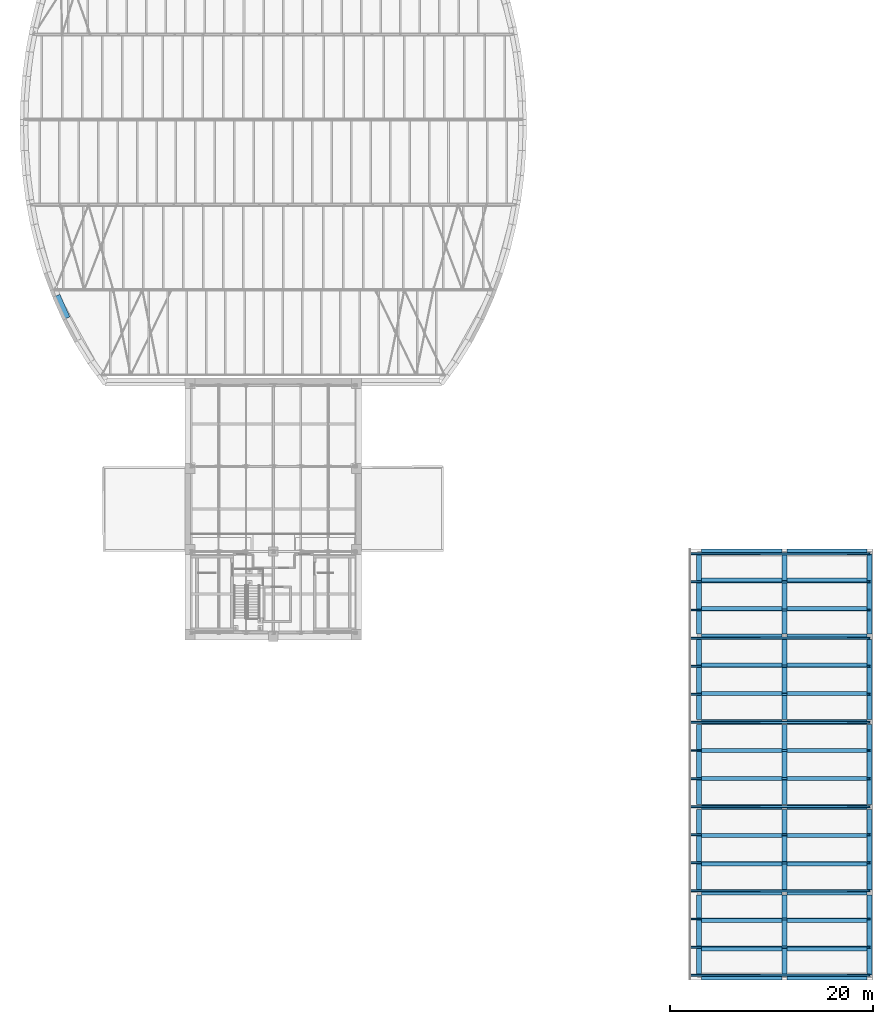
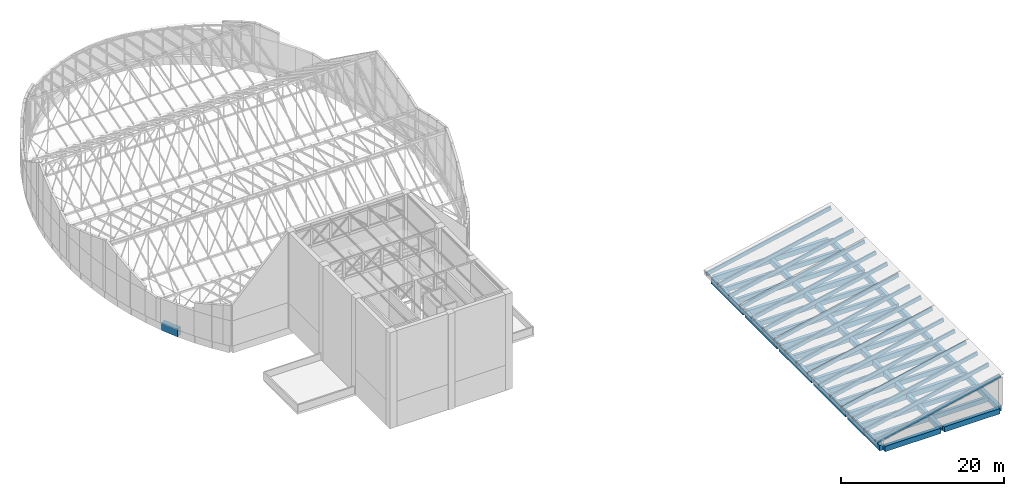
# One storey, part 15 of 68: 48 beams, 16 members.
"""IFC4 building model written with IfcOpenShell, lengths in metres."""

from ifc_helpers import new_model, si_unit, direction, frame, origin, origin_2d, place, context, subcontext, project, spatial, rectangle, extrude, material, material_profile, profile_set, type_object, element, save


model = new_model("IFC4")

# Units and contexts
model_context = context("Model", 3, precision=1e-05, world=origin(), true_north=direction((0.0, 1.0)))
body_context = subcontext(model_context, "Body", "Model", "MODEL_VIEW")
ifc_project = project(units=[si_unit("LENGTHUNIT", "METRE"), si_unit("AREAUNIT", "SQUARE_METRE"), si_unit("VOLUMEUNIT", "CUBIC_METRE"), si_unit("PLANEANGLEUNIT", "RADIAN"), si_unit("MASSUNIT", "GRAM", prefix="KILO")], contexts=[model_context])

# Site, building, storey
site_placement = place(None, origin())
site = spatial("IfcSite", under=ifc_project, at=site_placement, CompositionType="ELEMENT")
building_placement = place(site_placement, origin())
building = spatial("IfcBuilding", under=site, at=building_placement, Name="Larchfold Concert Hall", CompositionType="ELEMENT")
storey_placement = place(building_placement, frame((0.0, 0.0, 28.800048828125)))
storey = spatial("IfcBuildingStorey", under=building, at=storey_placement, Name="L06", CompositionType="ELEMENT", Elevation=28.800048828125)

# Beams
ifc_material_1 = material(Name="Concrete C35/45", Category="concrete")
ifc_material_profile_1 = material_profile(ifc_material_1, rectangle(XDim=0.39990234375, YDim=0.699951171875, at=origin_2d()))
ifc_profile_set_1 = profile_set([ifc_material_profile_1], Name="Concrete C35/45")
beam_type_1 = type_object("IfcBeamType", Name="Beam RC 400x700", PredefinedType="BEAM", material=ifc_profile_set_1)
for number, where, z_axis, x_axis, name in (
    (1, (84.85009765625, 3.39990234375, -0.489990234375), (1.0, 0.0, 0.0), (0.0, 1.0, 0.0), "Beam B0883"),
    (2, (93.25, 3.39990234375, -0.489990234375), (1.0, 0.0, 0.0), (0.0, 1.0, 0.0), "Beam B0884"),
    (3, (84.85009765625, 6.199951171875, -0.489990234375), (1.0, 0.0, 0.0), (0.0, 1.0, 0.0), "Beam B0885"),
    (4, (93.25, 6.199951171875, -0.489990234375), (1.0, 0.0, 0.0), (0.0, 1.0, 0.0), "Beam B0886"),
    (5, (84.85009765625, 11.800048828125, -0.489990234375), (1.0, 0.0, 0.0), (0.0, 1.0, 0.0), "Beam B0887"),
    (6, (93.25, 11.800048828125, -0.489990234375), (1.0, 0.0, 0.0), (0.0, 1.0, 0.0), "Beam B0888"),
    (7, (84.85009765625, 14.60009765625, -0.489990234375), (1.0, 0.0, 0.0), (0.0, 1.0, 0.0), "Beam B0889"),
    (8, (93.25, 14.60009765625, -0.489990234375), (1.0, 0.0, 0.0), (0.0, 1.0, 0.0), "Beam B0890"),
    (9, (84.85009765625, 20.199951171875, -0.489990234375), (1.0, 0.0, 0.0), (0.0, 1.0, 0.0), "Beam B0891"),
    (10, (93.25, 20.199951171875, -0.489990234375), (1.0, 0.0, 0.0), (0.0, 1.0, 0.0), "Beam B0892"),
    (11, (84.85009765625, 23.0, -0.489990234375), (1.0, 0.0, 0.0), (0.0, 1.0, 0.0), "Beam B0893"),
    (12, (93.25, 23.0, -0.489990234375), (1.0, 0.0, 0.0), (0.0, 1.0, 0.0), "Beam B0894"),
    (13, (84.85009765625, 28.60009765625, -0.489990234375), (1.0, 0.0, 0.0), (0.0, 1.0, 0.0), "Beam B0895"),
    (14, (93.25, 28.60009765625, -0.489990234375), (1.0, 0.0, 0.0), (0.0, 1.0, 0.0), "Beam B0896"),
    (15, (84.85009765625, 31.39990234375, -0.489990234375), (1.0, 0.0, 0.0), (0.0, 1.0, 0.0), "Beam B0897"),
    (16, (93.25, 31.39990234375, -0.489990234375), (1.0, 0.0, 0.0), (0.0, 1.0, 0.0), "Beam B0898"),
    (17, (84.85009765625, 37.0, -0.489990234375), (1.0, 0.0, 0.0), (0.0, 1.0, 0.0), "Beam B0899"),
    (18, (93.25, 37.0, -0.489990234375), (1.0, 0.0, 0.0), (0.0, 1.0, 0.0), "Beam B0900"),
    (19, (84.85009765625, 39.800048828125, -0.489990234375), (1.0, 0.0, 0.0), (0.0, 1.0, 0.0), "Beam B0901"),
    (20, (93.25, 39.800048828125, -0.489990234375), (1.0, 0.0, 0.0), (0.0, 1.0, 0.0), "Beam B0902"),
):
    element("IfcBeam", number, at=place(storey_placement, frame(where, z_axis=z_axis, x_axis=x_axis)), inside=storey, type_object=beam_type_1, Name=name, PredefinedType="BEAM", context=body_context, shape_type="SweptSolid", body=[
        extrude(rectangle(XDim=0.39990234375, YDim=0.699951171875, at=origin_2d()), origin(), (0.0, 0.0, 1.0), 7.89990234375),
    ])
ifc_material_2 = material(Name="Concrete C35/45", Category="concrete")
ifc_material_profile_2 = material_profile(ifc_material_2, rectangle(XDim=0.5, YDim=0.800048828125, at=origin_2d()))
ifc_profile_set_2 = profile_set([ifc_material_profile_2], Name="Concrete C35/45")
beam_type_2 = type_object("IfcBeamType", Name="Beam RC 500x800", PredefinedType="BEAM", material=ifc_profile_set_2)
for number, where, z_axis, x_axis, name in (
    (21, (84.60009765625, 0.85009765625, -0.5400390625), (0.0, 1.0, 0.0), (-1.0, 0.0, 0.0), "Beam B0856"),
    (22, (84.60009765625, 9.25, -0.5400390625), (0.0, 1.0, 0.0), (-1.0, 0.0, 0.0), "Beam B0857"),
):
    element("IfcBeam", number, at=place(storey_placement, frame(where, z_axis=z_axis, x_axis=x_axis)), inside=storey, type_object=beam_type_2, Name=name, PredefinedType="BEAM", context=body_context, shape_type="SweptSolid", body=[
        extrude(rectangle(XDim=0.5, YDim=0.800048828125, at=origin_2d()), origin(), (0.0, 0.0, 1.0), 7.89990234375),
    ])
beam_1_placement = place(storey_placement, frame((84.60009765625, 17.64990234375, -0.5400390625), z_axis=(0.0, 1.0, 0.0), x_axis=(-1.0, 0.0, 0.0)))
element("IfcBeam", 23, at=beam_1_placement, inside=storey, type_object=beam_type_2, Name="Beam B0858", PredefinedType="BEAM", context=body_context, shape_type="SweptSolid", body=[
    extrude(rectangle(XDim=0.5, YDim=0.800048828125, at=origin_2d()), origin(), (0.0, 0.0, 1.0), 7.900146484375),
])
beam_2_placement = place(storey_placement, frame((84.60009765625, 26.050048828125, -0.5400390625), z_axis=(0.0, 1.0, 0.0), x_axis=(-1.0, 0.0, 0.0)))
element("IfcBeam", 24, at=beam_2_placement, inside=storey, type_object=beam_type_2, Name="Beam B0859", PredefinedType="BEAM", context=body_context, shape_type="SweptSolid", body=[
    extrude(rectangle(XDim=0.5, YDim=0.800048828125, at=origin_2d()), origin(), (0.0, 0.0, 1.0), 7.89990234375),
])
beam_3_placement = place(storey_placement, frame((84.60009765625, 34.449951171875, -0.5400390625), z_axis=(0.0, 1.0, 0.0), x_axis=(-1.0, 0.0, 0.0)))
element("IfcBeam", 25, at=beam_3_placement, inside=storey, type_object=beam_type_2, Name="Beam B0860", PredefinedType="BEAM", context=body_context, shape_type="SweptSolid", body=[
    extrude(rectangle(XDim=0.5, YDim=0.800048828125, at=origin_2d()), origin(), (0.0, 0.0, 1.0), 7.900146484375),
])
for number, where, z_axis, x_axis, name in (
    (26, (93.0, 0.85009765625, -0.5400390625), (0.0, 1.0, 0.0), (-1.0, 0.0, 0.0), "Beam B0861"),
    (27, (93.0, 9.25, -0.5400390625), (0.0, 1.0, 0.0), (-1.0, 0.0, 0.0), "Beam B0862"),
):
    element("IfcBeam", number, at=place(storey_placement, frame(where, z_axis=z_axis, x_axis=x_axis)), inside=storey, type_object=beam_type_2, Name=name, PredefinedType="BEAM", context=body_context, shape_type="SweptSolid", body=[
        extrude(rectangle(XDim=0.5, YDim=0.800048828125, at=origin_2d()), origin(), (0.0, 0.0, 1.0), 7.89990234375),
    ])
beam_4_placement = place(storey_placement, frame((93.0, 17.64990234375, -0.5400390625), z_axis=(0.0, 1.0, 0.0), x_axis=(-1.0, 0.0, 0.0)))
element("IfcBeam", 28, at=beam_4_placement, inside=storey, type_object=beam_type_2, Name="Beam B0863", PredefinedType="BEAM", context=body_context, shape_type="SweptSolid", body=[
    extrude(rectangle(XDim=0.5, YDim=0.800048828125, at=origin_2d()), origin(), (0.0, 0.0, 1.0), 7.900146484375),
])
beam_5_placement = place(storey_placement, frame((93.0, 26.050048828125, -0.5400390625), z_axis=(0.0, 1.0, 0.0), x_axis=(-1.0, 0.0, 0.0)))
element("IfcBeam", 29, at=beam_5_placement, inside=storey, type_object=beam_type_2, Name="Beam B0864", PredefinedType="BEAM", context=body_context, shape_type="SweptSolid", body=[
    extrude(rectangle(XDim=0.5, YDim=0.800048828125, at=origin_2d()), origin(), (0.0, 0.0, 1.0), 7.89990234375),
])
beam_6_placement = place(storey_placement, frame((93.0, 34.449951171875, -0.5400390625), z_axis=(0.0, 1.0, 0.0), x_axis=(-1.0, 0.0, 0.0)))
element("IfcBeam", 30, at=beam_6_placement, inside=storey, type_object=beam_type_2, Name="Beam B0865", PredefinedType="BEAM", context=body_context, shape_type="SweptSolid", body=[
    extrude(rectangle(XDim=0.5, YDim=0.800048828125, at=origin_2d()), origin(), (0.0, 0.0, 1.0), 7.900146484375),
])
for number, where, z_axis, x_axis, name in (
    (31, (101.39990234375, 0.85009765625, -0.5400390625), (0.0, 1.0, 0.0), (-1.0, 0.0, 0.0), "Beam B0866"),
    (32, (101.39990234375, 9.25, -0.5400390625), (0.0, 1.0, 0.0), (-1.0, 0.0, 0.0), "Beam B0867"),
):
    element("IfcBeam", number, at=place(storey_placement, frame(where, z_axis=z_axis, x_axis=x_axis)), inside=storey, type_object=beam_type_2, Name=name, PredefinedType="BEAM", context=body_context, shape_type="SweptSolid", body=[
        extrude(rectangle(XDim=0.5, YDim=0.800048828125, at=origin_2d()), origin(), (0.0, 0.0, 1.0), 7.89990234375),
    ])
beam_7_placement = place(storey_placement, frame((101.39990234375, 17.64990234375, -0.5400390625), z_axis=(0.0, 1.0, 0.0), x_axis=(-1.0, 0.0, 0.0)))
element("IfcBeam", 33, at=beam_7_placement, inside=storey, type_object=beam_type_2, Name="Beam B0868", PredefinedType="BEAM", context=body_context, shape_type="SweptSolid", body=[
    extrude(rectangle(XDim=0.5, YDim=0.800048828125, at=origin_2d()), origin(), (0.0, 0.0, 1.0), 7.900146484375),
])
beam_8_placement = place(storey_placement, frame((101.39990234375, 26.050048828125, -0.5400390625), z_axis=(0.0, 1.0, 0.0), x_axis=(-1.0, 0.0, 0.0)))
element("IfcBeam", 34, at=beam_8_placement, inside=storey, type_object=beam_type_2, Name="Beam B0869", PredefinedType="BEAM", context=body_context, shape_type="SweptSolid", body=[
    extrude(rectangle(XDim=0.5, YDim=0.800048828125, at=origin_2d()), origin(), (0.0, 0.0, 1.0), 7.89990234375),
])
beam_9_placement = place(storey_placement, frame((101.39990234375, 34.449951171875, -0.5400390625), z_axis=(0.0, 1.0, 0.0), x_axis=(-1.0, 0.0, 0.0)))
element("IfcBeam", 35, at=beam_9_placement, inside=storey, type_object=beam_type_2, Name="Beam B0870", PredefinedType="BEAM", context=body_context, shape_type="SweptSolid", body=[
    extrude(rectangle(XDim=0.5, YDim=0.800048828125, at=origin_2d()), origin(), (0.0, 0.0, 1.0), 7.900146484375),
])
for number, where, z_axis, x_axis, name in (
    (36, (84.85009765625, 0.60009765625, -0.5400390625), (1.0, 0.0, 0.0), (0.0, 1.0, 0.0), "Beam B0871"),
    (37, (93.25, 0.60009765625, -0.5400390625), (1.0, 0.0, 0.0), (0.0, 1.0, 0.0), "Beam B0872"),
    (38, (84.85009765625, 9.0, -0.5400390625), (1.0, 0.0, 0.0), (0.0, 1.0, 0.0), "Beam B0873"),
    (39, (93.25, 9.0, -0.5400390625), (1.0, 0.0, 0.0), (0.0, 1.0, 0.0), "Beam B0874"),
    (40, (84.85009765625, 17.39990234375, -0.5400390625), (1.0, 0.0, 0.0), (0.0, 1.0, 0.0), "Beam B0875"),
    (41, (93.25, 17.39990234375, -0.5400390625), (1.0, 0.0, 0.0), (0.0, 1.0, 0.0), "Beam B0876"),
    (42, (84.85009765625, 25.800048828125, -0.5400390625), (1.0, 0.0, 0.0), (0.0, 1.0, 0.0), "Beam B0877"),
    (43, (93.25, 25.800048828125, -0.5400390625), (1.0, 0.0, 0.0), (0.0, 1.0, 0.0), "Beam B0878"),
    (44, (84.85009765625, 34.199951171875, -0.5400390625), (1.0, 0.0, 0.0), (0.0, 1.0, 0.0), "Beam B0879"),
    (45, (93.25, 34.199951171875, -0.5400390625), (1.0, 0.0, 0.0), (0.0, 1.0, 0.0), "Beam B0880"),
    (46, (84.85009765625, 42.60009765625, -0.5400390625), (1.0, 0.0, 0.0), (0.0, 1.0, 0.0), "Beam B0881"),
    (47, (93.25, 42.60009765625, -0.5400390625), (1.0, 0.0, 0.0), (0.0, 1.0, 0.0), "Beam B0882"),
):
    element("IfcBeam", number, at=place(storey_placement, frame(where, z_axis=z_axis, x_axis=x_axis)), inside=storey, type_object=beam_type_2, Name=name, PredefinedType="BEAM", context=body_context, shape_type="SweptSolid", body=[
        extrude(rectangle(XDim=0.5, YDim=0.800048828125, at=origin_2d()), origin(), (0.0, 0.0, 1.0), 7.89990234375),
    ])
ifc_material_3 = material(Name="Concrete C40/50", Category="concrete")
ifc_material_profile_3 = material_profile(ifc_material_3, rectangle(XDim=0.60009765625, YDim=1.199951171875, at=origin_2d()))
ifc_profile_set_3 = profile_set([ifc_material_profile_3], Name="Concrete C40/50")
beam_type_3 = type_object("IfcBeamType", Name="Beam RC 600x1200", PredefinedType="BEAM", material=ifc_profile_set_3)
beam_10_placement = place(storey_placement, frame((21.27978515625, 67.850341796875, -0.60009765625), z_axis=(0.406688504918, -0.913566888612, 0.0), x_axis=(0.913566888612, 0.406688504918, 0.0)))
element("IfcBeam", 48, at=beam_10_placement, inside=storey, type_object=beam_type_3, Name="Beam RB46", PredefinedType="BEAM", context=body_context, shape_type="SweptSolid", body=[
    extrude(rectangle(XDim=0.60009765625, YDim=1.199951171875, at=origin_2d()), origin(), (0.0, 0.0, 1.0), 2.429443359375),
])

# Members
ifc_material_4 = material(Name="Glulam GL30c", Category="wood")
ifc_material_profile_4 = material_profile(ifc_material_4, rectangle(XDim=0.18994140625, YDim=0.5849609375, at=origin_2d()))
ifc_profile_set_4 = profile_set([ifc_material_profile_4], Name="Glulam GL30c")
member_type = type_object("IfcMemberType", Name="Glulam rafter GL30c 190x585", PredefinedType="RAFTER", material=ifc_profile_set_4)
for number, where, z_axis, x_axis, name in (
    (49, (83.699951171875, 0.824951171875, 0.655029296875), (0.977801032451, 0.0, 0.209535536217), (0.0, 1.0, 0.0), "Member RA01"),
    (50, (83.699951171875, 3.594970703125, 0.655029296875), (0.977801032451, 0.0, 0.209535536217), (0.0, 1.0, 0.0), "Member RA02"),
    (51, (83.699951171875, 6.364990234375, 0.655029296875), (0.977801032451, 0.0, 0.209535536217), (0.0, 1.0, 0.0), "Member RA03"),
    (52, (83.699951171875, 9.135009765625, 0.655029296875), (0.977801032451, 0.0, 0.209535536217), (0.0, 1.0, 0.0), "Member RA04"),
    (53, (83.699951171875, 11.905029296875, 0.655029296875), (0.977801032451, 0.0, 0.209535536217), (0.0, 1.0, 0.0), "Member RA05"),
    (54, (83.699951171875, 14.675048828125, 0.655029296875), (0.977801032451, 0.0, 0.209535536217), (0.0, 1.0, 0.0), "Member RA06"),
    (55, (83.699951171875, 17.445068359375, 0.655029296875), (0.977801032451, 0.0, 0.209535536217), (0.0, 1.0, 0.0), "Member RA07"),
    (56, (83.699951171875, 20.215087890625, 0.655029296875), (0.977801032451, 0.0, 0.209535536217), (0.0, 1.0, 0.0), "Member RA08"),
    (57, (83.699951171875, 22.985107421875, 0.655029296875), (0.977801032451, 0.0, 0.209535536217), (0.0, 1.0, 0.0), "Member RA09"),
    (58, (83.699951171875, 25.7548828125, 0.655029296875), (0.977801032451, 0.0, 0.209535536217), (0.0, 1.0, 0.0), "Member RA10"),
    (59, (83.699951171875, 28.52490234375, 0.655029296875), (0.977801032451, 0.0, 0.209535536217), (0.0, 1.0, 0.0), "Member RA11"),
    (60, (83.699951171875, 31.294921875, 0.655029296875), (0.977801032451, 0.0, 0.209535536217), (0.0, 1.0, 0.0), "Member RA12"),
    (61, (83.699951171875, 34.06494140625, 0.655029296875), (0.977801032451, 0.0, 0.209535536217), (0.0, 1.0, 0.0), "Member RA13"),
    (62, (83.699951171875, 36.8349609375, 0.655029296875), (0.977801032451, 0.0, 0.209535536217), (0.0, 1.0, 0.0), "Member RA14"),
    (63, (83.699951171875, 39.60498046875, 0.655029296875), (0.977801032451, 0.0, 0.209535536217), (0.0, 1.0, 0.0), "Member RA15"),
    (64, (83.699951171875, 42.375, 0.655029296875), (0.977801032451, 0.0, 0.209535536217), (0.0, 1.0, 0.0), "Member RA16"),
):
    element("IfcMember", number, at=place(storey_placement, frame(where, z_axis=z_axis, x_axis=x_axis)), inside=storey, type_object=member_type, Name=name, PredefinedType="RAFTER", context=body_context, shape_type="SweptSolid", body=[
        extrude(rectangle(XDim=0.18994140625, YDim=0.5849609375, at=origin_2d()), origin(), (0.0, 0.0, 1.0), 18.101806640625),
    ])

save(model, "model.ifc")
